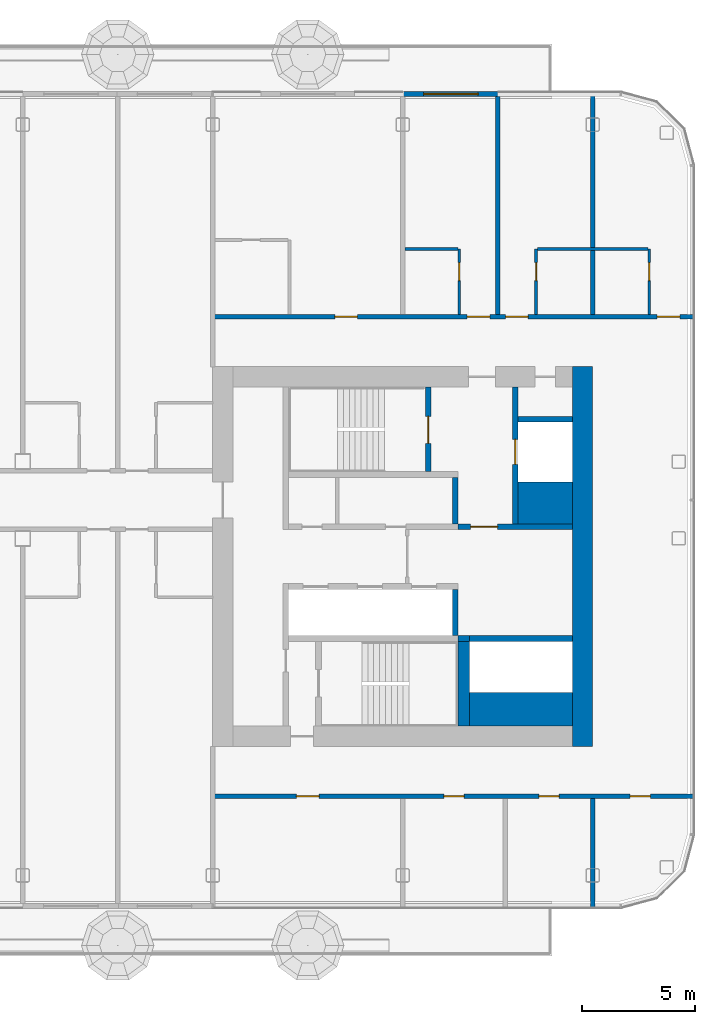
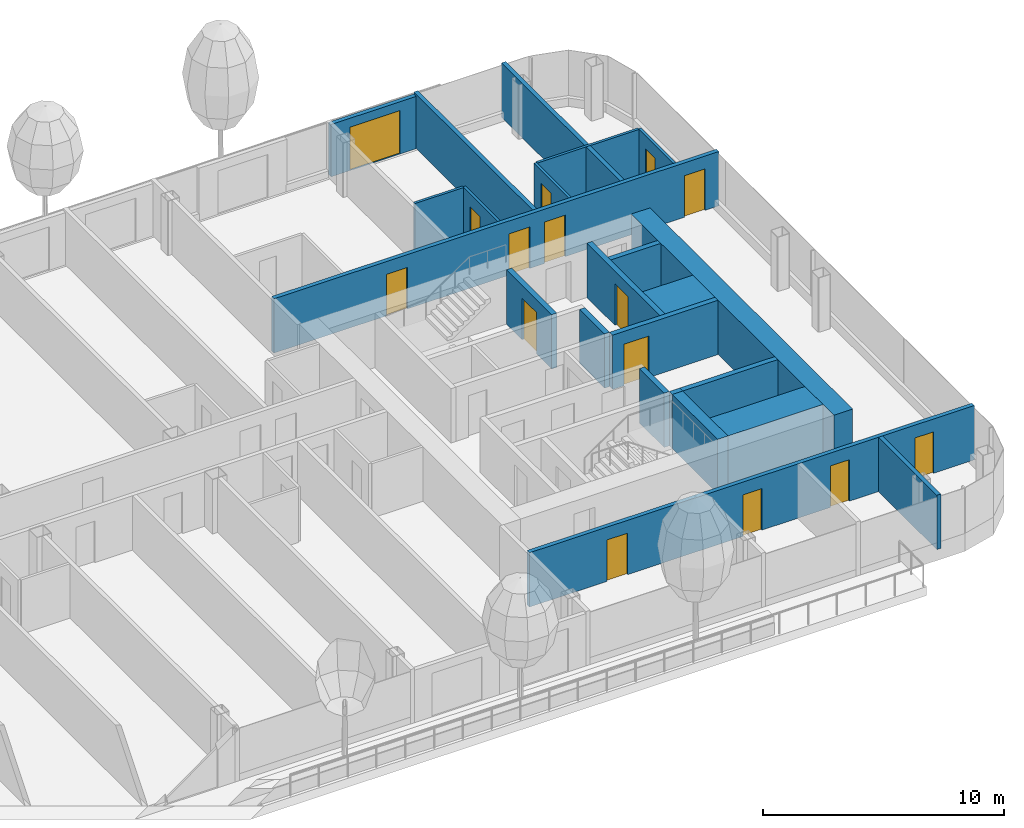
# One storey, part 15 of 28: 23 walls, 15 doors, 15 openings, 1 element without a shape of its own.
"""IFC4 building model written with IfcOpenShell, lengths in metres."""

from ifc_helpers import new_model, si_unit, direction, frame, frame_2d, origin, place, context, subcontext, project, spatial, rectangle, extrude, material, layer, layer_set, type_object, element, fill, aggregate, save


model = new_model("IFC4")

# Units and contexts
model_context = context("Model", 3, precision=1e-05, world=origin(), true_north=direction((0.0, 1.0)))
body_context = subcontext(model_context, "Body", "Model", "MODEL_VIEW")
ifc_project = project(units=[si_unit("LENGTHUNIT", "METRE"), si_unit("AREAUNIT", "SQUARE_METRE"), si_unit("VOLUMEUNIT", "CUBIC_METRE"), si_unit("PLANEANGLEUNIT", "RADIAN"), si_unit("MASSUNIT", "GRAM", prefix="KILO")], contexts=[model_context])

# Site, building, storey
site_placement = place(None, origin())
site = spatial("IfcSite", under=ifc_project, at=site_placement, CompositionType="ELEMENT")
building_placement = place(site_placement, origin())
building = spatial("IfcBuilding", under=site, at=building_placement, Name="Hakoniwa Tower and Hamabe Station Hall", CompositionType="ELEMENT")
storey_placement = place(building_placement, frame((0.0, 0.0, 193.0)))
storey = spatial("IfcBuildingStorey", under=building, at=storey_placement, Name="L54", CompositionType="ELEMENT", Elevation=193.0)

# Walls
ifc_material_1 = material(Name="Gypsum board partition", Category="gypsum")
ifc_layer_1 = layer(ifc_material_1, 0.125)
ifc_layer_set_1 = layer_set([ifc_layer_1], Name="Bathroom Partition 125")
wall_type_1 = type_object("IfcWallType", Name="Bathroom Partition 125", PredefinedType="PARTITIONING", material=ifc_layer_set_1)
wall_1_placement = place(storey_placement, frame((25.300048828125, 13.60009765625, 0.0), z_axis=(0.0, 0.0, 1.0), x_axis=(1.0, 0.0, 0.0)))
element("IfcWall", 1, at=wall_1_placement, inside=storey, type_object=wall_type_1, Name="GW-L54-019", PredefinedType="PARTITIONING", context=body_context, shape_type="SweptSolid", body=[
    extrude(rectangle(XDim=2.33740234375, YDim=0.125, at=frame_2d((1.168701171875, 0.0))), origin(), (0.0, 0.0, 1.0), 2.75),
])
wall_2_placement = place(storey_placement, frame((31.16259765625, 13.60009765625, 0.0), z_axis=(0.0, 0.0, 1.0), x_axis=(1.0, 0.0, 0.0)))
element("IfcWall", 2, at=wall_2_placement, inside=storey, type_object=wall_type_1, Name="GW-L54-020", PredefinedType="PARTITIONING", context=body_context, shape_type="SweptSolid", body=[
    extrude(rectangle(XDim=4.875, YDim=0.125, at=frame_2d((2.4375, 0.0))), origin(), (0.0, 0.0, 1.0), 2.75),
])

# Wall, opening, door
wall_3_placement = place(storey_placement, frame((27.699951171875, 10.699951171875, 0.0), z_axis=(0.0, 0.0, 1.0), x_axis=(0.0, 1.0, 0.0)))
wall_3 = element("IfcWall", 3, at=wall_3_placement, inside=storey, type_object=wall_type_1, Name="GW-L54-061", PredefinedType="PARTITIONING", context=body_context, shape_type="SweptSolid", body=[
    extrude(rectangle(XDim=2.900146484375, YDim=0.125, at=frame_2d((1.4501953125, 0.0))), origin(), (0.0, 0.0, 1.0), 2.75),
])
opening_1_placement = place(wall_3_placement, frame((1.5, 0.0, 0.0)))
opening_1 = element("IfcOpeningElement", 4, at=opening_1_placement, cuts=wall_3, Name="Opening GD-G4C0-45", PredefinedType="OPENING", context=body_context, shape_type="SweptSolid", body=[
    extrude(rectangle(XDim=0.800048828125, YDim=2.10009765625, at=frame_2d((0.39990234375, 1.050048828125))), frame((0.0, 0.072509765625, 0.0), z_axis=(0.0, -1.0, 0.0), x_axis=(1.0, 0.0, 0.0)), (0.0, 0.0, 1.0), 0.14501953125),
])
ifc_material_2 = material(Name="Timber door leaf", Category="wood")
door_type_1 = type_object("IfcDoorType", Name="Bathroom Door 800", OperationType="SINGLE_SWING_LEFT", PredefinedType="DOOR", material=ifc_material_2)
door_1_placement = place(opening_1_placement, origin())
door_1 = element("IfcDoor", 5, at=door_1_placement, inside=storey, type_object=door_type_1, Name="Door GD-G4C0-45", OperationType="SINGLE_SWING_LEFT", OverallHeight=2.10009765625, OverallWidth=0.800048828125, PredefinedType="DOOR", context=body_context, shape_type="SweptSolid", body=[
    extrude(rectangle(XDim=0.800048828125, YDim=2.10009765625, at=frame_2d((0.39990234375, 1.050048828125))), frame((0.0, 0.02490234375, 0.0), z_axis=(0.0, -1.0, 0.0), x_axis=(1.0, 0.0, 0.0)), (0.0, 0.0, 1.0), 0.050048828125),
])
fill(opening_1, door_1)

wall_4_placement = place(storey_placement, frame((31.10009765625, 10.699951171875, 0.0), z_axis=(0.0, 0.0, 1.0), x_axis=(0.0, 1.0, 0.0)))
wall_4 = element("IfcWall", 6, at=wall_4_placement, inside=storey, type_object=wall_type_1, Name="GW-L54-064", PredefinedType="PARTITIONING", context=body_context, shape_type="SweptSolid", body=[
    extrude(rectangle(XDim=2.900146484375, YDim=0.125, at=frame_2d((1.4501953125, 0.0))), origin(), (0.0, 0.0, 1.0), 2.75),
])
opening_2_placement = place(wall_4_placement, frame((1.5, 0.0, 0.0)))
opening_2 = element("IfcOpeningElement", 7, at=opening_2_placement, cuts=wall_4, Name="Opening GD-G4C0-46", PredefinedType="OPENING", context=body_context, shape_type="SweptSolid", body=[
    extrude(rectangle(XDim=0.800048828125, YDim=2.10009765625, at=frame_2d((0.39990234375, 1.050048828125))), frame((0.0, 0.072509765625, 0.0), z_axis=(0.0, -1.0, 0.0), x_axis=(1.0, 0.0, 0.0)), (0.0, 0.0, 1.0), 0.14501953125),
])
door_2_placement = place(opening_2_placement, origin())
door_2 = element("IfcDoor", 8, at=door_2_placement, inside=storey, type_object=door_type_1, Name="Door GD-G4C0-46", OperationType="SINGLE_SWING_RIGHT", OverallHeight=2.10009765625, OverallWidth=0.800048828125, PredefinedType="DOOR", context=body_context, shape_type="SweptSolid", body=[
    extrude(rectangle(XDim=0.800048828125, YDim=2.10009765625, at=frame_2d((0.39990234375, 1.050048828125))), frame((0.0, 0.02490234375, 0.0), z_axis=(0.0, -1.0, 0.0), x_axis=(1.0, 0.0, 0.0)), (0.0, 0.0, 1.0), 0.050048828125),
])
fill(opening_2, door_2)

wall_5_placement = place(storey_placement, frame((36.10009765625, 10.699951171875, 0.0), z_axis=(0.0, 0.0, 1.0), x_axis=(0.0, 1.0, 0.0)))
wall_5 = element("IfcWall", 9, at=wall_5_placement, inside=storey, type_object=wall_type_1, Name="GW-L54-067", PredefinedType="PARTITIONING", context=body_context, shape_type="SweptSolid", body=[
    extrude(rectangle(XDim=2.900146484375, YDim=0.125, at=frame_2d((1.4501953125, 0.0))), origin(), (0.0, 0.0, 1.0), 2.75),
])
opening_3_placement = place(wall_5_placement, frame((1.5, 0.0, 0.0)))
opening_3 = element("IfcOpeningElement", 10, at=opening_3_placement, cuts=wall_5, Name="Opening GD-G4C0-47", PredefinedType="OPENING", context=body_context, shape_type="SweptSolid", body=[
    extrude(rectangle(XDim=0.800048828125, YDim=2.10009765625, at=frame_2d((0.39990234375, 1.050048828125))), frame((0.0, 0.072509765625, 0.0), z_axis=(0.0, -1.0, 0.0), x_axis=(1.0, 0.0, 0.0)), (0.0, 0.0, 1.0), 0.14501953125),
])
door_3_placement = place(opening_3_placement, origin())
door_3 = element("IfcDoor", 11, at=door_3_placement, inside=storey, type_object=door_type_1, Name="Door GD-G4C0-47", OperationType="SINGLE_SWING_LEFT", OverallHeight=2.10009765625, OverallWidth=0.800048828125, PredefinedType="DOOR", context=body_context, shape_type="SweptSolid", body=[
    extrude(rectangle(XDim=0.800048828125, YDim=2.10009765625, at=frame_2d((0.39990234375, 1.050048828125))), frame((0.0, 0.02490234375, 0.0), z_axis=(0.0, -1.0, 0.0), x_axis=(1.0, 0.0, 0.0)), (0.0, 0.0, 1.0), 0.050048828125),
])
fill(opening_3, door_3)

# Walls
ifc_material_3 = material(Name="Concrete C60", Category="concrete")
ifc_layer_2 = layer(ifc_material_3, 0.89990234375)
ifc_layer_set_2 = layer_set([ifc_layer_2], Name="CORE WALL 900 C60")
wall_type_2 = type_object("IfcWallType", Name="CORE WALL 900 C60", PredefinedType="SHEAR", material=ifc_layer_set_2)
wall_6_placement = place(storey_placement, frame((33.14990234375, -8.39990234375, 0.0), z_axis=(0.0, 0.0, 1.0), x_axis=(0.0, 1.0, 0.0)))
element("IfcWall", 12, at=wall_6_placement, inside=storey, type_object=wall_type_2, Name="Core wall OUTER east", PredefinedType="SHEAR", context=body_context, shape_type="SweptSolid", body=[
    extrude(rectangle(XDim=16.7998046875, YDim=0.89990234375, at=frame_2d((8.39990234375, 0.0))), origin(), (0.0, 0.0, 1.0), 2.75),
])
ifc_material_4 = material(Name="Concrete C60", Category="concrete")
ifc_layer_3 = layer(ifc_material_4, 1.5)
ifc_layer_set_3 = layer_set([ifc_layer_3], Name="CORE WEB WALL 1500 C60")
wall_type_3 = type_object("IfcWallType", Name="CORE WEB WALL 1500 C60", PredefinedType="SHEAR", material=ifc_layer_set_3)
wall_7_placement = place(storey_placement, frame((28.14990234375, -6.75, 0.0), z_axis=(0.0, 0.0, 1.0), x_axis=(1.0, 0.0, 0.0)))
element("IfcWall", 13, at=wall_7_placement, inside=storey, type_object=wall_type_3, Name="Core wall SER east", PredefinedType="SHEAR", context=body_context, shape_type="SweptSolid", body=[
    extrude(rectangle(XDim=4.550048828125, YDim=1.5, at=frame_2d((2.27490234375, 0.0))), origin(), (0.0, 0.0, 1.0), 2.75),
])
ifc_material_5 = material(Name="Concrete C60", Category="concrete")
ifc_layer_4 = layer(ifc_material_5, 1.85009765625)
ifc_layer_set_4 = layer_set([ifc_layer_4], Name="CORE WEB WALL 1850 C60")
wall_type_4 = type_object("IfcWallType", Name="CORE WEB WALL 1850 C60", PredefinedType="SHEAR", material=ifc_layer_set_4)
wall_8_placement = place(storey_placement, frame((30.300048828125, 2.375, 0.0), z_axis=(0.0, 0.0, 1.0), x_axis=(1.0, 0.0, 0.0)))
element("IfcWall", 14, at=wall_8_placement, inside=storey, type_object=wall_type_4, Name="Core wall CA east", PredefinedType="SHEAR", context=body_context, shape_type="SweptSolid", body=[
    extrude(rectangle(XDim=2.39990234375, YDim=1.85009765625, at=frame_2d((1.199951171875, 0.0))), origin(), (0.0, 0.0, 1.0), 2.75),
])
ifc_material_6 = material(Name="Concrete C60", Category="concrete")
ifc_layer_5 = layer(ifc_material_6, 0.25)
ifc_layer_set_5 = layer_set([ifc_layer_5], Name="CORE WEB WALL 250 C60")
wall_type_5 = type_object("IfcWallType", Name="CORE WEB WALL 250 C60", PredefinedType="SHEAR", material=ifc_layer_set_5)
wall_9_placement = place(storey_placement, frame((27.52490234375, 1.449951171875, 0.0), z_axis=(0.0, 0.0, 1.0), x_axis=(0.0, 1.0, 0.0)))
element("IfcWall", 15, at=wall_9_placement, inside=storey, type_object=wall_type_5, Name="Core wall NE east", PredefinedType="SHEAR", context=body_context, shape_type="SweptSolid", body=[
    extrude(rectangle(XDim=2.050048828125, YDim=0.25, at=frame_2d((1.02490234375, 0.0))), origin(), (0.0, 0.0, 1.0), 2.75),
])

# Wall, opening, door
wall_10_placement = place(storey_placement, frame((26.324951171875, 3.75, 0.0), z_axis=(0.0, 0.0, 1.0), x_axis=(0.0, 1.0, 0.0)))
wall_10 = element("IfcWall", 16, at=wall_10_placement, inside=storey, type_object=wall_type_5, Name="Core wall NSE east", PredefinedType="SHEAR", context=body_context, shape_type="SweptSolid", body=[
    extrude(rectangle(XDim=3.75, YDim=0.25, at=frame_2d((1.875, 0.0))), origin(), (0.0, 0.0, 1.0), 2.75),
])
opening_4_placement = place(wall_10_placement, frame((1.25, 0.0, 0.0)))
opening_4 = element("IfcOpeningElement", 17, at=opening_4_placement, cuts=wall_10, Name="Opening CD-E-SN-12", PredefinedType="OPENING", context=body_context, shape_type="SweptSolid", body=[
    extrude(rectangle(XDim=1.199951171875, YDim=2.10009765625, at=frame_2d((0.60009765625, 1.050048828125))), frame((0.0, 0.135009765625, 0.0), z_axis=(0.0, -1.0, 0.0), x_axis=(1.0, 0.0, 0.0)), (0.0, 0.0, 1.0), 0.27001953125),
])
ifc_material_7 = material(Name="Steel fire door", Category="steel")
door_type_2 = type_object("IfcDoorType", Name="CORE DOOR 1200 FD60", OperationType="DOUBLE_DOOR_SINGLE_SWING", PredefinedType="DOOR", material=ifc_material_7)
door_4_placement = place(opening_4_placement, origin())
door_4 = element("IfcDoor", 18, at=door_4_placement, inside=storey, type_object=door_type_2, Name="Escape stair door", OperationType="DOUBLE_DOOR_SINGLE_SWING", OverallHeight=2.10009765625, OverallWidth=1.199951171875, PredefinedType="DOOR", context=body_context, shape_type="SweptSolid", body=[
    extrude(rectangle(XDim=1.199951171875, YDim=2.10009765625, at=frame_2d((0.60009765625, 1.050048828125))), frame((0.0, 0.02490234375, 0.0), z_axis=(0.0, -1.0, 0.0), x_axis=(1.0, 0.0, 0.0)), (0.0, 0.0, 1.0), 0.050048828125),
])
fill(opening_4, door_4)

wall_11_placement = place(storey_placement, frame((27.64990234375, 1.324951171875, 0.0), z_axis=(0.0, 0.0, 1.0), x_axis=(1.0, 0.0, 0.0)))
wall_11 = element("IfcWall", 19, at=wall_11_placement, inside=storey, type_object=wall_type_5, Name="Core wall ELN east", PredefinedType="SHEAR", context=body_context, shape_type="SweptSolid", body=[
    extrude(rectangle(XDim=5.050048828125, YDim=0.25, at=frame_2d((2.52490234375, 0.0))), origin(), (0.0, 0.0, 1.0), 2.75),
])
opening_5_placement = place(wall_11_placement, frame((0.550048828125, 0.0, 0.0)))
opening_5 = element("IfcOpeningElement", 20, at=opening_5_placement, cuts=wall_11, Name="Opening CD-E-FL-12", PredefinedType="OPENING", context=body_context, shape_type="SweptSolid", body=[
    extrude(rectangle(XDim=1.199951171875, YDim=2.10009765625, at=frame_2d((0.60009765625, 1.050048828125))), frame((0.0, 0.135009765625, 0.0), z_axis=(0.0, -1.0, 0.0), x_axis=(1.0, 0.0, 0.0)), (0.0, 0.0, 1.0), 0.27001953125),
])
door_5_placement = place(opening_5_placement, origin())
door_5 = element("IfcDoor", 21, at=door_5_placement, inside=storey, type_object=door_type_2, Name="Stair vestibule door to the fire-fighting lobby", OperationType="DOUBLE_DOOR_SINGLE_SWING", OverallHeight=2.10009765625, OverallWidth=1.199951171875, PredefinedType="DOOR", context=body_context, shape_type="SweptSolid", body=[
    extrude(rectangle(XDim=1.199951171875, YDim=2.10009765625, at=frame_2d((0.60009765625, 1.050048828125))), frame((0.0, 0.02490234375, 0.0), z_axis=(0.0, -1.0, 0.0), x_axis=(1.0, 0.0, 0.0)), (0.0, 0.0, 1.0), 0.050048828125),
])
fill(opening_5, door_5)

wall_12_placement = place(storey_placement, frame((30.175048828125, 1.449951171875, 0.0), z_axis=(0.0, 0.0, 1.0), x_axis=(0.0, 1.0, 0.0)))
wall_12 = element("IfcWall", 22, at=wall_12_placement, inside=storey, type_object=wall_type_5, Name="Core wall FFF east", PredefinedType="SHEAR", context=body_context, shape_type="SweptSolid", body=[
    extrude(rectangle(XDim=6.050048828125, YDim=0.25, at=frame_2d((3.02490234375, 0.0))), origin(), (0.0, 0.0, 1.0), 2.75),
])
opening_6_placement = place(wall_12_placement, frame((2.625, 0.0, 0.0)))
opening_6 = element("IfcOpeningElement", 23, at=opening_6_placement, cuts=wall_12, Name="Opening LD-FF2", PredefinedType="OPENING", context=body_context, shape_type="SweptSolid", body=[
    extrude(rectangle(XDim=1.10009765625, YDim=2.10009765625, at=frame_2d((0.550048828125, 1.050048828125))), frame((0.0, 0.135009765625, 0.0), z_axis=(0.0, -1.0, 0.0), x_axis=(1.0, 0.0, 0.0)), (0.0, 0.0, 1.0), 0.27001953125),
])
ifc_material_8 = material(Name="Stainless steel SUS304", Category="steel")
door_type_3 = type_object("IfcDoorType", Name="LIFT LANDING DOOR 1100 FD60", OperationType="DOUBLE_DOOR_SLIDING", PredefinedType="DOOR", material=ifc_material_8)
door_6_placement = place(opening_6_placement, origin())
door_6 = element("IfcDoor", 24, at=door_6_placement, inside=storey, type_object=door_type_3, Name="Lift landing door FF2 L54", OperationType="DOUBLE_DOOR_SLIDING", OverallHeight=2.10009765625, OverallWidth=1.10009765625, PredefinedType="DOOR", context=body_context, shape_type="SweptSolid", body=[
    extrude(rectangle(XDim=1.10009765625, YDim=2.10009765625, at=frame_2d((0.550048828125, 1.050048828125))), frame((0.0, 0.02490234375, 0.0), z_axis=(0.0, -1.0, 0.0), x_axis=(1.0, 0.0, 0.0)), (0.0, 0.0, 1.0), 0.050048828125),
])
fill(opening_6, door_6)

# Walls
wall_13_placement = place(storey_placement, frame((30.300048828125, 6.074951171875, 0.0), z_axis=(0.0, 0.0, 1.0), x_axis=(1.0, 0.0, 0.0)))
element("IfcWall", 25, at=wall_13_placement, inside=storey, type_object=wall_type_5, Name="Core wall C2 east", PredefinedType="SHEAR", context=body_context, shape_type="SweptSolid", body=[
    extrude(rectangle(XDim=2.39990234375, YDim=0.25, at=frame_2d((1.199951171875, 0.0))), origin(), (0.0, 0.0, 1.0), 2.75),
])
wall_14_placement = place(storey_placement, frame((27.52490234375, -3.5, 0.0), z_axis=(0.0, 0.0, 1.0), x_axis=(0.0, 1.0, 0.0)))
element("IfcWall", 26, at=wall_14_placement, inside=storey, type_object=wall_type_5, Name="Core wall SE east", PredefinedType="SHEAR", context=body_context, shape_type="SweptSolid", body=[
    extrude(rectangle(XDim=2.050048828125, YDim=0.25, at=frame_2d((1.02490234375, 0.0))), origin(), (0.0, 0.0, 1.0), 2.75),
])
wall_15_placement = place(storey_placement, frame((28.14990234375, -3.625, 0.0), z_axis=(0.0, 0.0, 1.0), x_axis=(1.0, 0.0, 0.0)))
element("IfcWall", 27, at=wall_15_placement, inside=storey, type_object=wall_type_5, Name="Core wall SEF east", PredefinedType="SHEAR", context=body_context, shape_type="SweptSolid", body=[
    extrude(rectangle(XDim=4.550048828125, YDim=0.25, at=frame_2d((2.27490234375, 0.0))), origin(), (0.0, 0.0, 1.0), 2.75),
])
wall_16_placement = place(storey_placement, frame((27.64990234375, -3.625, 0.0), z_axis=(0.0, 0.0, 1.0), x_axis=(1.0, 0.0, 0.0)))
element("IfcWall", 28, at=wall_16_placement, inside=storey, type_object=wall_type_5, Name="Core wall SRK east", PredefinedType="SHEAR", context=body_context, shape_type="SweptSolid", body=[
    extrude(rectangle(XDim=0.5, YDim=0.25, at=frame_2d((0.25, 0.0))), origin(), (0.0, 0.0, 1.0), 2.75),
])
ifc_material_9 = material(Name="Concrete C60", Category="concrete")
ifc_layer_6 = layer(ifc_material_9, 0.5)
ifc_layer_set_6 = layer_set([ifc_layer_6], Name="CORE WEB WALL 500 C60")
wall_type_6 = type_object("IfcWallType", Name="CORE WEB WALL 500 C60", PredefinedType="SHEAR", material=ifc_layer_set_6)
wall_17_placement = place(storey_placement, frame((27.89990234375, -7.5, 0.0), z_axis=(0.0, 0.0, 1.0), x_axis=(0.0, 1.0, 0.0)))
element("IfcWall", 29, at=wall_17_placement, inside=storey, type_object=wall_type_6, Name="Core wall SSE east", PredefinedType="SHEAR", context=body_context, shape_type="SweptSolid", body=[
    extrude(rectangle(XDim=3.75, YDim=0.5, at=frame_2d((1.875, 0.0))), origin(), (0.0, 0.0, 1.0), 2.75),
])

# Wall, openings, doors
ifc_material_10 = material(Name="Fire-rated gypsum board partition", Category="gypsum")
ifc_layer_7 = layer(ifc_material_10, 0.199951171875)
ifc_layer_set_7 = layer_set([ifc_layer_7], Name="Corridor Wall 200")
wall_type_7 = type_object("IfcWallType", Name="Corridor Wall 200", PredefinedType="PARTITIONING", material=ifc_layer_set_7)
wall_18_placement = place(storey_placement, frame((16.800048828125, -10.60009765625, 0.0), z_axis=(0.0, 0.0, 1.0), x_axis=(1.0, 0.0, 0.0)))
wall_18 = element("IfcWall", 30, at=wall_18_placement, inside=storey, type_object=wall_type_7, Name="GW-L54-002", PredefinedType="PARTITIONING", context=body_context, shape_type="SweptSolid", body=[
    extrude(rectangle(XDim=21.300048828125, YDim=0.199951171875, at=frame_2d((10.64990234375, 0.0))), origin(), (0.0, 0.0, 1.0), 2.75),
])
opening_7_placement = place(wall_18_placement, frame((3.699951171875, 0.0, 0.0)))
opening_7 = element("IfcOpeningElement", 31, at=opening_7_placement, cuts=wall_18, Name="Opening GD-G4C0-06", PredefinedType="OPENING", context=body_context, shape_type="SweptSolid", body=[
    extrude(rectangle(XDim=1.0, YDim=2.10009765625, at=frame_2d((0.5, 1.050048828125))), frame((0.0, 0.10986328125, 0.0), z_axis=(0.0, -1.0, 0.0), x_axis=(1.0, 0.0, 0.0)), (0.0, 0.0, 1.0), 0.219970703125),
])
opening_8_placement = place(wall_18_placement, frame((10.219970703125, 0.0, 0.0)))
opening_8 = element("IfcOpeningElement", 32, at=opening_8_placement, cuts=wall_18, Name="Opening GD-G4C0-07", PredefinedType="OPENING", context=body_context, shape_type="SweptSolid", body=[
    extrude(rectangle(XDim=0.89990234375, YDim=2.10009765625, at=frame_2d((0.449951171875, 1.050048828125))), frame((0.0, 0.10986328125, 0.0), z_axis=(0.0, -1.0, 0.0), x_axis=(1.0, 0.0, 0.0)), (0.0, 0.0, 1.0), 0.219970703125),
])
opening_9_placement = place(wall_18_placement, frame((14.419921875, 0.0, 0.0)))
opening_9 = element("IfcOpeningElement", 33, at=opening_9_placement, cuts=wall_18, Name="Opening GD-G4C0-08", PredefinedType="OPENING", context=body_context, shape_type="SweptSolid", body=[
    extrude(rectangle(XDim=0.89990234375, YDim=2.10009765625, at=frame_2d((0.449951171875, 1.050048828125))), frame((0.0, 0.10986328125, 0.0), z_axis=(0.0, -1.0, 0.0), x_axis=(1.0, 0.0, 0.0)), (0.0, 0.0, 1.0), 0.219970703125),
])
opening_10_placement = place(wall_18_placement, frame((18.449951171875, 0.0, 0.0)))
opening_10 = element("IfcOpeningElement", 34, at=opening_10_placement, cuts=wall_18, Name="Opening GD-G4C0-09", PredefinedType="OPENING", context=body_context, shape_type="SweptSolid", body=[
    extrude(rectangle(XDim=0.89990234375, YDim=2.10009765625, at=frame_2d((0.449951171875, 1.050048828125))), frame((0.0, 0.10986328125, 0.0), z_axis=(0.0, -1.0, 0.0), x_axis=(1.0, 0.0, 0.0)), (0.0, 0.0, 1.0), 0.219970703125),
])
ifc_material_11 = material(Name="Timber door leaf", Category="wood")
door_type_4 = type_object("IfcDoorType", Name="Guest Entrance Door 1000", OperationType="SINGLE_SWING_LEFT", PredefinedType="DOOR", material=ifc_material_11)
door_7_placement = place(opening_7_placement, origin())
door_7 = element("IfcDoor", 35, at=door_7_placement, inside=storey, type_object=door_type_4, Name="Door GD-G4C0-06", OperationType="SINGLE_SWING_RIGHT", OverallHeight=2.10009765625, OverallWidth=1.0, PredefinedType="DOOR", context=body_context, shape_type="SweptSolid", body=[
    extrude(rectangle(XDim=1.0, YDim=2.10009765625, at=frame_2d((0.5, 1.050048828125))), frame((0.0, 0.02490234375, 0.0), z_axis=(0.0, -1.0, 0.0), x_axis=(1.0, 0.0, 0.0)), (0.0, 0.0, 1.0), 0.050048828125),
])
fill(opening_7, door_7)
ifc_material_12 = material(Name="Timber door leaf", Category="wood")
door_type_5 = type_object("IfcDoorType", Name="Service Door 900", OperationType="SINGLE_SWING_LEFT", PredefinedType="DOOR", material=ifc_material_12)
door_8_placement = place(opening_8_placement, origin())
door_8 = element("IfcDoor", 36, at=door_8_placement, inside=storey, type_object=door_type_5, Name="Door GD-G4C0-07", OperationType="SINGLE_SWING_LEFT", OverallHeight=2.10009765625, OverallWidth=0.89990234375, PredefinedType="DOOR", context=body_context, shape_type="SweptSolid", body=[
    extrude(rectangle(XDim=0.89990234375, YDim=2.10009765625, at=frame_2d((0.449951171875, 1.050048828125))), frame((0.0, 0.02490234375, 0.0), z_axis=(0.0, -1.0, 0.0), x_axis=(1.0, 0.0, 0.0)), (0.0, 0.0, 1.0), 0.050048828125),
])
fill(opening_8, door_8)
door_9_placement = place(opening_9_placement, origin())
door_9 = element("IfcDoor", 37, at=door_9_placement, inside=storey, type_object=door_type_5, Name="Door GD-G4C0-08", OperationType="SINGLE_SWING_RIGHT", OverallHeight=2.10009765625, OverallWidth=0.89990234375, PredefinedType="DOOR", context=body_context, shape_type="SweptSolid", body=[
    extrude(rectangle(XDim=0.89990234375, YDim=2.10009765625, at=frame_2d((0.449951171875, 1.050048828125))), frame((0.0, 0.02490234375, 0.0), z_axis=(0.0, -1.0, 0.0), x_axis=(1.0, 0.0, 0.0)), (0.0, 0.0, 1.0), 0.050048828125),
])
fill(opening_9, door_9)
door_10_placement = place(opening_10_placement, origin())
door_10 = element("IfcDoor", 38, at=door_10_placement, inside=storey, type_object=door_type_5, Name="Door GD-G4C0-09", OperationType="SINGLE_SWING_LEFT", OverallHeight=2.10009765625, OverallWidth=0.89990234375, PredefinedType="DOOR", context=body_context, shape_type="SweptSolid", body=[
    extrude(rectangle(XDim=0.89990234375, YDim=2.10009765625, at=frame_2d((0.449951171875, 1.050048828125))), frame((0.0, 0.02490234375, 0.0), z_axis=(0.0, -1.0, 0.0), x_axis=(1.0, 0.0, 0.0)), (0.0, 0.0, 1.0), 0.050048828125),
])
fill(opening_10, door_10)

wall_19_placement = place(storey_placement, frame((16.800048828125, 10.60009765625, 0.0), z_axis=(0.0, 0.0, 1.0), x_axis=(1.0, 0.0, 0.0)))
wall_19 = element("IfcWall", 39, at=wall_19_placement, inside=storey, type_object=wall_type_7, Name="GW-L54-016", PredefinedType="PARTITIONING", context=body_context, shape_type="SweptSolid", body=[
    extrude(rectangle(XDim=21.300048828125, YDim=0.199951171875, at=frame_2d((10.64990234375, 0.0))), origin(), (0.0, 0.0, 1.0), 2.75),
])
opening_11_placement = place(wall_19_placement, frame((5.39990234375, 0.0, 0.0)))
opening_11 = element("IfcOpeningElement", 40, at=opening_11_placement, cuts=wall_19, Name="Opening GD-G4C0-29", PredefinedType="OPENING", context=body_context, shape_type="SweptSolid", body=[
    extrude(rectangle(XDim=1.0, YDim=2.10009765625, at=frame_2d((0.5, 1.050048828125))), frame((0.0, 0.10986328125, 0.0), z_axis=(0.0, -1.0, 0.0), x_axis=(1.0, 0.0, 0.0)), (0.0, 0.0, 1.0), 0.219970703125),
])
opening_12_placement = place(wall_19_placement, frame((11.25, 0.0, 0.0)))
opening_12 = element("IfcOpeningElement", 41, at=opening_12_placement, cuts=wall_19, Name="Opening GD-G4C0-30", PredefinedType="OPENING", context=body_context, shape_type="SweptSolid", body=[
    extrude(rectangle(XDim=1.0, YDim=2.10009765625, at=frame_2d((0.5, 1.050048828125))), frame((0.0, 0.10986328125, 0.0), z_axis=(0.0, -1.0, 0.0), x_axis=(1.0, 0.0, 0.0)), (0.0, 0.0, 1.0), 0.219970703125),
])
opening_13_placement = place(wall_19_placement, frame((12.949951171875, 0.0, 0.0)))
opening_13 = element("IfcOpeningElement", 42, at=opening_13_placement, cuts=wall_19, Name="Opening GD-G4C0-31", PredefinedType="OPENING", context=body_context, shape_type="SweptSolid", body=[
    extrude(rectangle(XDim=1.0, YDim=2.10009765625, at=frame_2d((0.5, 1.050048828125))), frame((0.0, 0.10986328125, 0.0), z_axis=(0.0, -1.0, 0.0), x_axis=(1.0, 0.0, 0.0)), (0.0, 0.0, 1.0), 0.219970703125),
])
opening_14_placement = place(wall_19_placement, frame((19.64990234375, 0.0, 0.0)))
opening_14 = element("IfcOpeningElement", 43, at=opening_14_placement, cuts=wall_19, Name="Opening GD-G4C0-32", PredefinedType="OPENING", context=body_context, shape_type="SweptSolid", body=[
    extrude(rectangle(XDim=1.0, YDim=2.10009765625, at=frame_2d((0.5, 1.050048828125))), frame((0.0, 0.10986328125, 0.0), z_axis=(0.0, -1.0, 0.0), x_axis=(1.0, 0.0, 0.0)), (0.0, 0.0, 1.0), 0.219970703125),
])
door_11_placement = place(opening_11_placement, origin())
door_11 = element("IfcDoor", 44, at=door_11_placement, inside=storey, type_object=door_type_4, Name="Door GD-G4C0-29", OperationType="SINGLE_SWING_RIGHT", OverallHeight=2.10009765625, OverallWidth=1.0, PredefinedType="DOOR", context=body_context, shape_type="SweptSolid", body=[
    extrude(rectangle(XDim=1.0, YDim=2.10009765625, at=frame_2d((0.5, 1.050048828125))), frame((0.0, 0.02490234375, 0.0), z_axis=(0.0, -1.0, 0.0), x_axis=(1.0, 0.0, 0.0)), (0.0, 0.0, 1.0), 0.050048828125),
])
fill(opening_11, door_11)
door_12_placement = place(opening_12_placement, origin())
door_12 = element("IfcDoor", 45, at=door_12_placement, inside=storey, type_object=door_type_4, Name="Door GD-G4C0-30", OperationType="SINGLE_SWING_RIGHT", OverallHeight=2.10009765625, OverallWidth=1.0, PredefinedType="DOOR", context=body_context, shape_type="SweptSolid", body=[
    extrude(rectangle(XDim=1.0, YDim=2.10009765625, at=frame_2d((0.5, 1.050048828125))), frame((0.0, 0.02490234375, 0.0), z_axis=(0.0, -1.0, 0.0), x_axis=(1.0, 0.0, 0.0)), (0.0, 0.0, 1.0), 0.050048828125),
])
fill(opening_12, door_12)
door_13_placement = place(opening_13_placement, origin())
door_13 = element("IfcDoor", 46, at=door_13_placement, inside=storey, type_object=door_type_4, Name="Door GD-G4C0-31", OperationType="SINGLE_SWING_LEFT", OverallHeight=2.10009765625, OverallWidth=1.0, PredefinedType="DOOR", context=body_context, shape_type="SweptSolid", body=[
    extrude(rectangle(XDim=1.0, YDim=2.10009765625, at=frame_2d((0.5, 1.050048828125))), frame((0.0, 0.02490234375, 0.0), z_axis=(0.0, -1.0, 0.0), x_axis=(1.0, 0.0, 0.0)), (0.0, 0.0, 1.0), 0.050048828125),
])
fill(opening_13, door_13)
door_14_placement = place(opening_14_placement, origin())
door_14 = element("IfcDoor", 47, at=door_14_placement, inside=storey, type_object=door_type_4, Name="Door GD-G4C0-32", OperationType="SINGLE_SWING_RIGHT", OverallHeight=2.10009765625, OverallWidth=1.0, PredefinedType="DOOR", context=body_context, shape_type="SweptSolid", body=[
    extrude(rectangle(XDim=1.0, YDim=2.10009765625, at=frame_2d((0.5, 1.050048828125))), frame((0.0, 0.02490234375, 0.0), z_axis=(0.0, -1.0, 0.0), x_axis=(1.0, 0.0, 0.0)), (0.0, 0.0, 1.0), 0.050048828125),
])
fill(opening_14, door_14)

# Curtain wall, wall, opening, door
ifc_material_13 = material(Name="Dark low-e laminated glass", Category="glass")
ifc_layer_8 = layer(ifc_material_13, 0.199951171875)
ifc_layer_set_8 = layer_set([ifc_layer_8], Name="CW-1 UNITISED GUEST")
curtain_wall_type = type_object("IfcCurtainWallType", Name="CW-1 UNITISED GUEST", PredefinedType="NOTDEFINED", material=ifc_layer_set_8)
curtain_wall_placement = place(storey_placement, origin())
curtain_wall = element("IfcCurtainWall", 48, at=curtain_wall_placement, inside=storey, type_object=curtain_wall_type, Name="CW-1 curtain wall", PredefinedType="NOTDEFINED")
ifc_material_14 = material(Name="Dark glass-faced aluminium panel", Category="aluminium")
ifc_layer_9 = layer(ifc_material_14, 0.199951171875)
ifc_layer_set_9 = layer_set([ifc_layer_9], Name="DOOR BAY WALL")
wall_type_8 = type_object("IfcWallType", Name="DOOR BAY WALL", PredefinedType="NOTDEFINED", material=ifc_layer_set_9)
wall_20_placement = place(storey_placement, frame((29.43994140625, 20.449951171875, 0.0), z_axis=(0.0, 0.0, 1.0), x_axis=(-1.0, 0.0, 0.0)))
wall_20 = element("IfcWall", 49, at=wall_20_placement, type_object=wall_type_8, Name="Door bay wall", PredefinedType="NOTDEFINED", context=body_context, shape_type="SweptSolid", body=[
    extrude(rectangle(XDim=4.219970703125, YDim=0.199951171875, at=frame_2d((2.10986328125, 0.0))), origin(), (0.0, 0.0, 1.0), 2.64990234375),
])
opening_15_placement = place(wall_20_placement, frame((0.909912109375, 0.0, 0.0)))
opening_15 = element("IfcOpeningElement", 50, at=opening_15_placement, cuts=wall_20, Name="Opening BD-N03-12", PredefinedType="OPENING", context=body_context, shape_type="SweptSolid", body=[
    extrude(rectangle(XDim=2.39990234375, YDim=2.199951171875, at=frame_2d((1.199951171875, 1.10009765625))), frame((0.0, 0.10986328125, 0.0), z_axis=(0.0, -1.0, 0.0), x_axis=(1.0, 0.0, 0.0)), (0.0, 0.0, 1.0), 0.219970703125),
])
ifc_material_15 = material(Name="Dark low-e laminated glass", Category="glass")
door_type_6 = type_object("IfcDoorType", Name="BALCONY SLIDING DOOR 2400X2200", OperationType="SLIDING_TO_LEFT", PredefinedType="DOOR", material=ifc_material_15)
door_15_placement = place(opening_15_placement, frame((2.39990234375, 0.0, 0.0), z_axis=(0.0, 0.0, 1.0), x_axis=(-1.0, 0.0, 0.0)))
door_15 = element("IfcDoor", 51, at=door_15_placement, inside=storey, type_object=door_type_6, Name="Balcony sliding door", OperationType="SLIDING_TO_LEFT", OverallHeight=2.199951171875, OverallWidth=2.39990234375, PredefinedType="DOOR", context=body_context, shape_type="SweptSolid", body=[
    extrude(rectangle(XDim=2.39990234375, YDim=2.199951171875, at=frame_2d((1.199951171875, 1.10009765625))), frame((0.0, 0.02490234375, 0.0), z_axis=(0.0, -1.0, 0.0), x_axis=(1.0, 0.0, 0.0)), (0.0, 0.0, 1.0), 0.050048828125),
])
fill(opening_15, door_15)
aggregate(curtain_wall, [wall_20])

# Walls
ifc_material_16 = material(Name="Fire-rated gypsum board partition", Category="gypsum")
ifc_layer_10 = layer(ifc_material_16, 0.199951171875)
ifc_layer_set_10 = layer_set([ifc_layer_10], Name="Party Wall 200")
wall_type_9 = type_object("IfcWallType", Name="Party Wall 200", PredefinedType="PARTITIONING", material=ifc_layer_set_10)
wall_21_placement = place(storey_placement, frame((29.39990234375, 10.699951171875, 0.0), z_axis=(0.0, 0.0, 1.0), x_axis=(0.0, 1.0, 0.0)))
element("IfcWall", 52, at=wall_21_placement, inside=storey, type_object=wall_type_9, Name="GW-L54-062", PredefinedType="PARTITIONING", context=body_context, shape_type="SweptSolid", body=[
    extrude(rectangle(XDim=9.85009765625, YDim=0.199951171875, at=frame_2d((4.925048828125, 0.0))), origin(), (0.0, 0.0, 1.0), 2.75),
])
wall_22_placement = place(storey_placement, frame((33.60009765625, -15.550048828125, 0.0), z_axis=(0.0, 0.0, 1.0), x_axis=(0.0, 1.0, 0.0)))
element("IfcWall", 53, at=wall_22_placement, inside=storey, type_object=wall_type_9, Name="GW-L54-065", PredefinedType="PARTITIONING", context=body_context, shape_type="SweptSolid", body=[
    extrude(rectangle(XDim=4.85009765625, YDim=0.199951171875, at=frame_2d((2.425048828125, 0.0))), origin(), (0.0, 0.0, 1.0), 2.75),
])
wall_23_placement = place(storey_placement, frame((33.60009765625, 10.699951171875, 0.0), z_axis=(0.0, 0.0, 1.0), x_axis=(0.0, 1.0, 0.0)))
element("IfcWall", 54, at=wall_23_placement, inside=storey, type_object=wall_type_9, Name="GW-L54-066", PredefinedType="PARTITIONING", context=body_context, shape_type="SweptSolid", body=[
    extrude(rectangle(XDim=9.85009765625, YDim=0.199951171875, at=frame_2d((4.925048828125, 0.0))), origin(), (0.0, 0.0, 1.0), 2.75),
])

save(model, "model.ifc")
